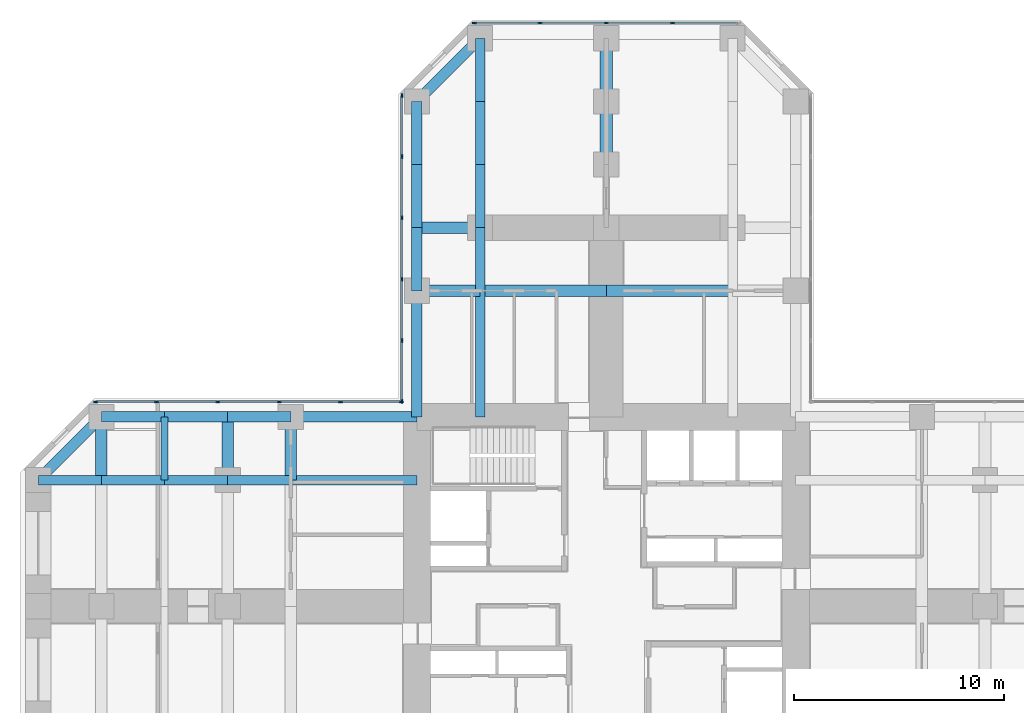
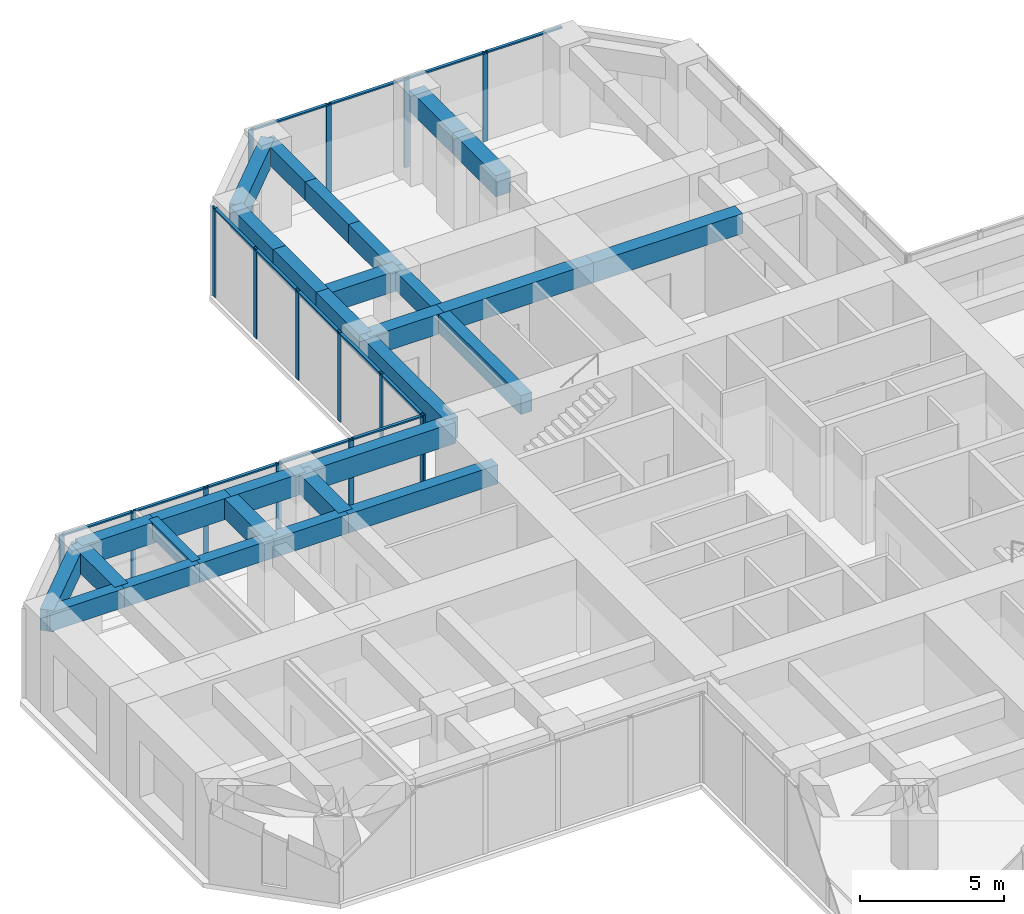
# One storey, part 5 of 13: 30 beams, 30 members, 3 elements without a shape of their own.
"""IFC4 building model written with IfcOpenShell, lengths in metres."""

from ifc_helpers import new_model, si_unit, direction, frame, origin, origin_2d, place, context, subcontext, project, spatial, rectangle, extrude, material, material_profile, profile_set, type_object, element, aggregate, save


model = new_model("IFC4")

# Units and contexts
model_context = context("Model", 3, precision=1e-05, world=origin(), true_north=direction((0.0, 1.0)))
body_context = subcontext(model_context, "Body", "Model", "MODEL_VIEW")
ifc_project = project(units=[si_unit("LENGTHUNIT", "METRE"), si_unit("AREAUNIT", "SQUARE_METRE"), si_unit("VOLUMEUNIT", "CUBIC_METRE"), si_unit("PLANEANGLEUNIT", "RADIAN"), si_unit("MASSUNIT", "GRAM", prefix="KILO")], contexts=[model_context])

# Site, building, storey
site_placement = place(None, origin())
site = spatial("IfcSite", under=ifc_project, at=site_placement, CompositionType="ELEMENT")
building_placement = place(site_placement, origin())
building = spatial("IfcBuilding", under=site, at=building_placement, Name="Torre Cruceta", CompositionType="ELEMENT")
storey_placement = place(building_placement, frame((0.0, 0.0, 27.5)))
storey = spatial("IfcBuildingStorey", under=building, at=storey_placement, Name="L06", CompositionType="ELEMENT", Elevation=27.5)

# Beams
ifc_material_1 = material(Name="Concrete G60 (fck 60 MPa)", Category="concrete")
ifc_material_profile_1 = material_profile(ifc_material_1, rectangle(XDim=0.60009765625, YDim=0.89990234375, at=origin_2d()), Name="RC 600X900")
ifc_profile_set_1 = profile_set([ifc_material_profile_1], Name="Concrete G60 (fck 60 MPa)")
beam_type_1 = type_object("IfcBeamType", Name="ARM CENTRE BEAM RC 600X900", PredefinedType="BEAM", material=ifc_profile_set_1)
for number, where, z_axis, x_axis, name in (
    (1, (0.0, 21.0, 3.35009765625), (0.0, 1.0, 0.0), (-1.0, 0.0, 0.0), "MB3 L06 N centre 1"),
    (2, (0.0, 24.0, 3.35009765625), (0.0, 1.0, 0.0), (-1.0, 0.0, 0.0), "MB3 L06 N centre 2"),
):
    element("IfcBeam", number, at=place(storey_placement, frame(where, z_axis=z_axis, x_axis=x_axis)), inside=storey, type_object=beam_type_1, Name=name, PredefinedType="BEAM", context=body_context, shape_type="SweptSolid", body=[
        extrude(rectangle(XDim=0.60009765625, YDim=0.89990234375, at=origin_2d()), origin(), (0.0, 0.0, 1.0), 3.0),
    ])
ifc_material_2 = material(Name="Concrete G60 (fck 60 MPa)", Category="concrete")
ifc_material_profile_2 = material_profile(ifc_material_2, rectangle(XDim=0.449951171875, YDim=0.800048828125, at=origin_2d()), Name="RC 450X800")
ifc_profile_set_2 = profile_set([ifc_material_profile_2], Name="Concrete G60 (fck 60 MPa)")
beam_type_2 = type_object("IfcBeamType", Name="COLUMN LINE BEAM RC 450X800", PredefinedType="BEAM", material=ifc_profile_set_2)
beam_1_placement = place(storey_placement, frame((-6.0, 9.0, 3.39990234375), z_axis=(0.0, 1.0, 0.0), x_axis=(-1.0, 0.0, 0.0)))
element("IfcBeam", 3, at=beam_1_placement, inside=storey, type_object=beam_type_2, Name="LB1 L06 N col+ 1", PredefinedType="BEAM", context=body_context, shape_type="SweptSolid", body=[
    extrude(rectangle(XDim=0.449951171875, YDim=0.800048828125, at=origin_2d()), origin(), (0.0, 0.0, 1.0), 6.0),
])
for number, where, z_axis, x_axis, name in (
    (4, (-6.0, 15.0, 3.39990234375), (0.0, 1.0, 0.0), (-1.0, 0.0, 0.0), "LB1 L06 N col+ 2"),
    (5, (-6.0, 18.0, 3.39990234375), (0.0, 1.0, 0.0), (-1.0, 0.0, 0.0), "LB1 L06 N col+ 3"),
    (6, (-6.0, 21.0, 3.39990234375), (0.0, 1.0, 0.0), (-1.0, 0.0, 0.0), "LB1 L06 N col+ 4"),
    (7, (-6.0, 24.0, 3.39990234375), (0.0, 1.0, 0.0), (-1.0, 0.0, 0.0), "LB1 L06 N col+ 5"),
):
    element("IfcBeam", number, at=place(storey_placement, frame(where, z_axis=z_axis, x_axis=x_axis)), inside=storey, type_object=beam_type_2, Name=name, PredefinedType="BEAM", context=body_context, shape_type="SweptSolid", body=[
        extrude(rectangle(XDim=0.449951171875, YDim=0.800048828125, at=origin_2d()), origin(), (0.0, 0.0, 1.0), 3.0),
    ])
beam_2_placement = place(storey_placement, frame((-9.0, 6.0, 3.39990234375), z_axis=(-1.0, 0.0, 0.0), x_axis=(0.0, -1.0, 0.0)))
element("IfcBeam", 8, at=beam_2_placement, inside=storey, type_object=beam_type_2, Name="LB1 L06 W col- 1", PredefinedType="BEAM", context=body_context, shape_type="SweptSolid", body=[
    extrude(rectangle(XDim=0.449951171875, YDim=0.800048828125, at=origin_2d()), origin(), (0.0, 0.0, 1.0), 6.0),
])
for number, where, z_axis, x_axis, name in (
    (9, (-15.0, 6.0, 3.39990234375), (-1.0, 0.0, 0.0), (0.0, -1.0, 0.0), "LB1 L06 W col- 2"),
    (10, (-18.0, 6.0, 3.39990234375), (-1.0, 0.0, 0.0), (0.0, -1.0, 0.0), "LB1 L06 W col- 3"),
    (11, (-21.0, 6.0, 3.39990234375), (-1.0, 0.0, 0.0), (0.0, -1.0, 0.0), "LB1 L06 W col- 4"),
    (12, (-24.0, 6.0, 3.39990234375), (-1.0, 0.0, 0.0), (0.0, -1.0, 0.0), "LB1 L06 W col- 5"),
):
    element("IfcBeam", number, at=place(storey_placement, frame(where, z_axis=z_axis, x_axis=x_axis)), inside=storey, type_object=beam_type_2, Name=name, PredefinedType="BEAM", context=body_context, shape_type="SweptSolid", body=[
        extrude(rectangle(XDim=0.449951171875, YDim=0.800048828125, at=origin_2d()), origin(), (0.0, 0.0, 1.0), 3.0),
    ])
ifc_material_3 = material(Name="Concrete G60 (fck 60 MPa)", Category="concrete")
ifc_material_profile_3 = material_profile(ifc_material_3, rectangle(XDim=0.550048828125, YDim=0.85009765625, at=origin_2d()), Name="RC 550X850")
ifc_profile_set_3 = profile_set([ifc_material_profile_3], Name="Concrete G60 (fck 60 MPa)")
beam_type_3 = type_object("IfcBeamType", Name="CROSS BEAM RC 550X850", PredefinedType="BEAM", material=ifc_profile_set_3)
for number, where, z_axis, x_axis, name in (
    (13, (6.0, 15.0, 3.375), (-1.0, 0.0, 0.0), (0.0, -1.0, 0.0), "GB4 L06 N cross15 2"),
    (14, (0.0, 15.0, 3.375), (-1.0, 0.0, 0.0), (0.0, -1.0, 0.0), "GB4 L06 N cross15 3"),
):
    element("IfcBeam", number, at=place(storey_placement, frame(where, z_axis=z_axis, x_axis=x_axis)), inside=storey, type_object=beam_type_3, Name=name, PredefinedType="BEAM", context=body_context, shape_type="SweptSolid", body=[
        extrude(rectangle(XDim=0.550048828125, YDim=0.85009765625, at=origin_2d()), origin(), (0.0, 0.0, 1.0), 6.0),
    ])
for number, where, z_axis, x_axis, name in (
    (15, (-6.0, 15.0, 3.375), (-1.0, 0.0, 0.0), (0.0, -1.0, 0.0), "GB4 L06 N cross15 4"),
    (16, (-6.0, 18.0, 3.375), (-1.0, 0.0, 0.0), (0.0, -1.0, 0.0), "GB4 L06 N cross18b 1"),
    (17, (-15.0, 9.0, 3.375), (0.0, -1.0, 0.0), (1.0, 0.0, 0.0), "GB4 L06 W cross15 1"),
    (18, (-18.0, 9.0, 3.375), (0.0, -1.0, 0.0), (1.0, 0.0, 0.0), "GB4 L06 W cross18 1"),
    (19, (-24.0, 9.0, 3.375), (0.0, -1.0, 0.0), (1.0, 0.0, 0.0), "GB4 L06 W cross24 1"),
):
    element("IfcBeam", number, at=place(storey_placement, frame(where, z_axis=z_axis, x_axis=x_axis)), inside=storey, type_object=beam_type_3, Name=name, PredefinedType="BEAM", context=body_context, shape_type="SweptSolid", body=[
        extrude(rectangle(XDim=0.550048828125, YDim=0.85009765625, at=origin_2d()), origin(), (0.0, 0.0, 1.0), 3.0),
    ])

# Curtain wall, members
ifc_material_4 = material(Name="Aluminium unitised curtain wall", Category="aluminium")
curtain_wall_type = type_object("IfcCurtainWallType", Name="CURTAIN WALL CW-A OFFICE LOW RISE", PredefinedType="USERDEFINED", material=ifc_material_4)
curtain_wall_1_placement = place(storey_placement, origin())
curtain_wall_1 = element("IfcCurtainWall", 20, at=curtain_wall_1_placement, inside=storey, type_object=curtain_wall_type, Name="CW-A L06 N tip 07", ObjectType="UNITISED", PredefinedType="USERDEFINED")
ifc_material_5 = material(Name="Aluminium mullion", Category="aluminium")
ifc_material_profile_4 = material_profile(ifc_material_5, rectangle(XDim=0.06494140625, YDim=0.199951171875, at=origin_2d()), Name="AL 65X200")
ifc_profile_set_4 = profile_set([ifc_material_profile_4], Name="Aluminium mullion")
member_type_1 = type_object("IfcMemberType", Name="CW-A MULLION 65X200", PredefinedType="MULLION", material=ifc_profile_set_4)
member_1_placement = place(storey_placement, frame((3.149169921875, 27.719970703125, 0.0), z_axis=(0.0, 0.0, 1.0), x_axis=(0.0, -1.0, 0.0)))
member_1 = element("IfcMember", 21, at=member_1_placement, type_object=member_type_1, Name="CW-A mullion 2", PredefinedType="MULLION", context=body_context, shape_type="SweptSolid", body=[
    extrude(rectangle(XDim=0.06494140625, YDim=0.199951171875, at=origin_2d()), origin(), (0.0, 0.0, 1.0), 3.800048828125),
])
member_2_placement = place(storey_placement, frame((0.0, 27.719970703125, 0.0), z_axis=(0.0, 0.0, 1.0), x_axis=(0.0, -1.0, 0.0)))
member_2 = element("IfcMember", 22, at=member_2_placement, type_object=member_type_1, Name="CW-A mullion 3", PredefinedType="MULLION", context=body_context, shape_type="SweptSolid", body=[
    extrude(rectangle(XDim=0.06494140625, YDim=0.199951171875, at=origin_2d()), origin(), (0.0, 0.0, 1.0), 3.800048828125),
])
member_3_placement = place(storey_placement, frame((-3.149169921875, 27.719970703125, 0.0), z_axis=(0.0, 0.0, 1.0), x_axis=(0.0, -1.0, 0.0)))
member_3 = element("IfcMember", 23, at=member_3_placement, type_object=member_type_1, Name="CW-A mullion 4", PredefinedType="MULLION", context=body_context, shape_type="SweptSolid", body=[
    extrude(rectangle(XDim=0.06494140625, YDim=0.199951171875, at=origin_2d()), origin(), (0.0, 0.0, 1.0), 3.800048828125),
])
member_4_placement = place(storey_placement, frame((-6.265625, 27.719970703125, 0.0), z_axis=(0.0, 0.0, 1.0), x_axis=(0.0, -1.0, 0.0)))
member_4 = element("IfcMember", 24, at=member_4_placement, type_object=member_type_1, Name="CW-A mullion 5", PredefinedType="MULLION", context=body_context, shape_type="SweptSolid", body=[
    extrude(rectangle(XDim=0.06494140625, YDim=0.199951171875, at=origin_2d()), origin(), (0.0, 0.0, 1.0), 3.800048828125),
])

curtain_wall_2_placement = place(storey_placement, origin())
curtain_wall_2 = element("IfcCurtainWall", 25, at=curtain_wall_2_placement, inside=storey, type_object=curtain_wall_type, Name="CW-A L06 N side 09", ObjectType="UNITISED", PredefinedType="USERDEFINED")
member_5_placement = place(storey_placement, frame((-9.719970703125, 24.265625, 0.0), z_axis=(0.0, 0.0, 1.0), x_axis=(1.0, 0.0, 0.0)))
member_5 = element("IfcMember", 26, at=member_5_placement, type_object=member_type_1, Name="CW-A mullion 1", PredefinedType="MULLION", context=body_context, shape_type="SweptSolid", body=[
    extrude(rectangle(XDim=0.06494140625, YDim=0.199951171875, at=origin_2d()), origin(), (0.0, 0.0, 1.0), 3.800048828125),
])
member_6_placement = place(storey_placement, frame((-9.719970703125, 21.382568359375, 0.0), z_axis=(0.0, 0.0, 1.0), x_axis=(1.0, 0.0, 0.0)))
member_6 = element("IfcMember", 27, at=member_6_placement, type_object=member_type_1, Name="CW-A mullion 2", PredefinedType="MULLION", context=body_context, shape_type="SweptSolid", body=[
    extrude(rectangle(XDim=0.06494140625, YDim=0.199951171875, at=origin_2d()), origin(), (0.0, 0.0, 1.0), 3.800048828125),
])
member_7_placement = place(storey_placement, frame((-9.719970703125, 18.467041015625, 0.0), z_axis=(0.0, 0.0, 1.0), x_axis=(1.0, 0.0, 0.0)))
member_7 = element("IfcMember", 28, at=member_7_placement, type_object=member_type_1, Name="CW-A mullion 3", PredefinedType="MULLION", context=body_context, shape_type="SweptSolid", body=[
    extrude(rectangle(XDim=0.06494140625, YDim=0.199951171875, at=origin_2d()), origin(), (0.0, 0.0, 1.0), 3.800048828125),
])
member_8_placement = place(storey_placement, frame((-9.719970703125, 15.55126953125, 0.0), z_axis=(0.0, 0.0, 1.0), x_axis=(1.0, 0.0, 0.0)))
member_8 = element("IfcMember", 29, at=member_8_placement, type_object=member_type_1, Name="CW-A mullion 4", PredefinedType="MULLION", context=body_context, shape_type="SweptSolid", body=[
    extrude(rectangle(XDim=0.06494140625, YDim=0.199951171875, at=origin_2d()), origin(), (0.0, 0.0, 1.0), 3.800048828125),
])
member_9_placement = place(storey_placement, frame((-9.719970703125, 12.6357421875, 0.0), z_axis=(0.0, 0.0, 1.0), x_axis=(1.0, 0.0, 0.0)))
member_9 = element("IfcMember", 30, at=member_9_placement, type_object=member_type_1, Name="CW-A mullion 5", PredefinedType="MULLION", context=body_context, shape_type="SweptSolid", body=[
    extrude(rectangle(XDim=0.06494140625, YDim=0.199951171875, at=origin_2d()), origin(), (0.0, 0.0, 1.0), 3.800048828125),
])
member_10_placement = place(storey_placement, frame((-9.719970703125, 9.75244140625, 0.0), z_axis=(0.0, 0.0, 1.0), x_axis=(1.0, 0.0, 0.0)))
member_10 = element("IfcMember", 31, at=member_10_placement, type_object=member_type_1, Name="CW-A mullion 6", PredefinedType="MULLION", context=body_context, shape_type="SweptSolid", body=[
    extrude(rectangle(XDim=0.06494140625, YDim=0.199951171875, at=origin_2d()), origin(), (0.0, 0.0, 1.0), 3.800048828125),
])

curtain_wall_3_placement = place(storey_placement, origin())
curtain_wall_3 = element("IfcCurtainWall", 32, at=curtain_wall_3_placement, inside=storey, type_object=curtain_wall_type, Name="CW-A L06 W side 10", ObjectType="UNITISED", PredefinedType="USERDEFINED")
member_11_placement = place(storey_placement, frame((-9.75244140625, 9.719970703125, 0.0), z_axis=(0.0, 0.0, 1.0), x_axis=(0.0, -1.0, 0.0)))
member_11 = element("IfcMember", 33, at=member_11_placement, type_object=member_type_1, Name="CW-A mullion 1", PredefinedType="MULLION", context=body_context, shape_type="SweptSolid", body=[
    extrude(rectangle(XDim=0.06494140625, YDim=0.199951171875, at=origin_2d()), origin(), (0.0, 0.0, 1.0), 3.800048828125),
])
member_12_placement = place(storey_placement, frame((-12.6357421875, 9.719970703125, 0.0), z_axis=(0.0, 0.0, 1.0), x_axis=(0.0, -1.0, 0.0)))
member_12 = element("IfcMember", 34, at=member_12_placement, type_object=member_type_1, Name="CW-A mullion 2", PredefinedType="MULLION", context=body_context, shape_type="SweptSolid", body=[
    extrude(rectangle(XDim=0.06494140625, YDim=0.199951171875, at=origin_2d()), origin(), (0.0, 0.0, 1.0), 3.800048828125),
])
member_13_placement = place(storey_placement, frame((-15.55126953125, 9.719970703125, 0.0), z_axis=(0.0, 0.0, 1.0), x_axis=(0.0, -1.0, 0.0)))
member_13 = element("IfcMember", 35, at=member_13_placement, type_object=member_type_1, Name="CW-A mullion 3", PredefinedType="MULLION", context=body_context, shape_type="SweptSolid", body=[
    extrude(rectangle(XDim=0.06494140625, YDim=0.199951171875, at=origin_2d()), origin(), (0.0, 0.0, 1.0), 3.800048828125),
])
member_14_placement = place(storey_placement, frame((-18.467041015625, 9.719970703125, 0.0), z_axis=(0.0, 0.0, 1.0), x_axis=(0.0, -1.0, 0.0)))
member_14 = element("IfcMember", 36, at=member_14_placement, type_object=member_type_1, Name="CW-A mullion 4", PredefinedType="MULLION", context=body_context, shape_type="SweptSolid", body=[
    extrude(rectangle(XDim=0.06494140625, YDim=0.199951171875, at=origin_2d()), origin(), (0.0, 0.0, 1.0), 3.800048828125),
])
member_15_placement = place(storey_placement, frame((-21.382568359375, 9.719970703125, 0.0), z_axis=(0.0, 0.0, 1.0), x_axis=(0.0, -1.0, 0.0)))
member_15 = element("IfcMember", 37, at=member_15_placement, type_object=member_type_1, Name="CW-A mullion 5", PredefinedType="MULLION", context=body_context, shape_type="SweptSolid", body=[
    extrude(rectangle(XDim=0.06494140625, YDim=0.199951171875, at=origin_2d()), origin(), (0.0, 0.0, 1.0), 3.800048828125),
])
member_16_placement = place(storey_placement, frame((-24.265625, 9.719970703125, 0.0), z_axis=(0.0, 0.0, 1.0), x_axis=(0.0, -1.0, 0.0)))
member_16 = element("IfcMember", 38, at=member_16_placement, type_object=member_type_1, Name="CW-A mullion 6", PredefinedType="MULLION", context=body_context, shape_type="SweptSolid", body=[
    extrude(rectangle(XDim=0.06494140625, YDim=0.199951171875, at=origin_2d()), origin(), (0.0, 0.0, 1.0), 3.800048828125),
])

# Member
ifc_material_6 = material(Name="Aluminium transom", Category="aluminium")
ifc_material_profile_5 = material_profile(ifc_material_6, rectangle(XDim=0.1201171875, YDim=0.06494140625, at=origin_2d()), Name="AL 120X65")
ifc_profile_set_5 = profile_set([ifc_material_profile_5], Name="Aluminium transom")
member_type_2 = type_object("IfcMemberType", Name="CW-A TRANSOM 65X120", PredefinedType="USERDEFINED", material=ifc_profile_set_5)
member_17_placement = place(storey_placement, frame((6.233154296875, 27.719970703125, 3.767578125), z_axis=(-1.0, 0.0, 0.0), x_axis=(0.0, -1.0, 0.0)))
member_17 = element("IfcMember", 39, at=member_17_placement, type_object=member_type_2, Name="CW-A transom 1", ObjectType="TRANSOM", PredefinedType="USERDEFINED", context=body_context, shape_type="SweptSolid", body=[
    extrude(rectangle(XDim=0.1201171875, YDim=0.06494140625, at=origin_2d()), origin(), (0.0, 0.0, 1.0), 3.051513671875),
])

member_18_placement = place(storey_placement, frame((3.11669921875, 27.719970703125, 3.767578125), z_axis=(-1.0, 0.0, 0.0), x_axis=(0.0, -1.0, 0.0)))
member_18 = element("IfcMember", 40, at=member_18_placement, type_object=member_type_2, Name="CW-A transom 2", ObjectType="TRANSOM", PredefinedType="USERDEFINED", context=body_context, shape_type="SweptSolid", body=[
    extrude(rectangle(XDim=0.1201171875, YDim=0.06494140625, at=origin_2d()), origin(), (0.0, 0.0, 1.0), 3.084228515625),
])

member_19_placement = place(storey_placement, frame((-0.032470703125, 27.719970703125, 3.767578125), z_axis=(-1.0, 0.0, 0.0), x_axis=(0.0, -1.0, 0.0)))
member_19 = element("IfcMember", 41, at=member_19_placement, type_object=member_type_2, Name="CW-A transom 3", ObjectType="TRANSOM", PredefinedType="USERDEFINED", context=body_context, shape_type="SweptSolid", body=[
    extrude(rectangle(XDim=0.1201171875, YDim=0.06494140625, at=origin_2d()), origin(), (0.0, 0.0, 1.0), 3.084228515625),
])

member_20_placement = place(storey_placement, frame((-3.181640625, 27.719970703125, 3.767578125), z_axis=(-1.0, 0.0, 0.0), x_axis=(0.0, -1.0, 0.0)))
member_20 = element("IfcMember", 42, at=member_20_placement, type_object=member_type_2, Name="CW-A transom 4", ObjectType="TRANSOM", PredefinedType="USERDEFINED", context=body_context, shape_type="SweptSolid", body=[
    extrude(rectangle(XDim=0.1201171875, YDim=0.06494140625, at=origin_2d()), origin(), (0.0, 0.0, 1.0), 3.051513671875),
])

aggregate(curtain_wall_1, [member_1, member_2, member_3, member_4, member_17, member_18, member_19, member_20])

member_21_placement = place(storey_placement, frame((-9.719970703125, 24.233154296875, 3.767578125), z_axis=(0.0, -1.0, 0.0), x_axis=(1.0, 0.0, 0.0)))
member_21 = element("IfcMember", 43, at=member_21_placement, type_object=member_type_2, Name="CW-A transom 1", ObjectType="TRANSOM", PredefinedType="USERDEFINED", context=body_context, shape_type="SweptSolid", body=[
    extrude(rectangle(XDim=0.1201171875, YDim=0.06494140625, at=origin_2d()), origin(), (0.0, 0.0, 1.0), 2.818115234375),
])

member_22_placement = place(storey_placement, frame((-9.719970703125, 21.35009765625, 3.767578125), z_axis=(0.0, -1.0, 0.0), x_axis=(1.0, 0.0, 0.0)))
member_22 = element("IfcMember", 44, at=member_22_placement, type_object=member_type_2, Name="CW-A transom 2", ObjectType="TRANSOM", PredefinedType="USERDEFINED", context=body_context, shape_type="SweptSolid", body=[
    extrude(rectangle(XDim=0.1201171875, YDim=0.06494140625, at=origin_2d()), origin(), (0.0, 0.0, 1.0), 2.8505859375),
])

member_23_placement = place(storey_placement, frame((-9.719970703125, 18.434326171875, 3.767578125), z_axis=(0.0, -1.0, 0.0), x_axis=(1.0, 0.0, 0.0)))
member_23 = element("IfcMember", 45, at=member_23_placement, type_object=member_type_2, Name="CW-A transom 3", ObjectType="TRANSOM", PredefinedType="USERDEFINED", context=body_context, shape_type="SweptSolid", body=[
    extrude(rectangle(XDim=0.1201171875, YDim=0.06494140625, at=origin_2d()), origin(), (0.0, 0.0, 1.0), 2.8505859375),
])

member_24_placement = place(storey_placement, frame((-9.719970703125, 15.518798828125, 3.767578125), z_axis=(0.0, -1.0, 0.0), x_axis=(1.0, 0.0, 0.0)))
member_24 = element("IfcMember", 46, at=member_24_placement, type_object=member_type_2, Name="CW-A transom 4", ObjectType="TRANSOM", PredefinedType="USERDEFINED", context=body_context, shape_type="SweptSolid", body=[
    extrude(rectangle(XDim=0.1201171875, YDim=0.06494140625, at=origin_2d()), origin(), (0.0, 0.0, 1.0), 2.8505859375),
])

member_25_placement = place(storey_placement, frame((-9.719970703125, 12.60302734375, 3.767578125), z_axis=(0.0, -1.0, 0.0), x_axis=(1.0, 0.0, 0.0)))
member_25 = element("IfcMember", 47, at=member_25_placement, type_object=member_type_2, Name="CW-A transom 5", ObjectType="TRANSOM", PredefinedType="USERDEFINED", context=body_context, shape_type="SweptSolid", body=[
    extrude(rectangle(XDim=0.1201171875, YDim=0.06494140625, at=origin_2d()), origin(), (0.0, 0.0, 1.0), 2.818115234375),
])

aggregate(curtain_wall_2, [member_5, member_6, member_7, member_8, member_9, member_10, member_21, member_22, member_23, member_24, member_25])

member_26_placement = place(storey_placement, frame((-9.784912109375, 9.719970703125, 3.767578125), z_axis=(-1.0, 0.0, 0.0), x_axis=(0.0, -1.0, 0.0)))
member_26 = element("IfcMember", 48, at=member_26_placement, type_object=member_type_2, Name="CW-A transom 1", ObjectType="TRANSOM", PredefinedType="USERDEFINED", context=body_context, shape_type="SweptSolid", body=[
    extrude(rectangle(XDim=0.1201171875, YDim=0.06494140625, at=origin_2d()), origin(), (0.0, 0.0, 1.0), 2.818115234375),
])

member_27_placement = place(storey_placement, frame((-12.668212890625, 9.719970703125, 3.767578125), z_axis=(-1.0, 0.0, 0.0), x_axis=(0.0, -1.0, 0.0)))
member_27 = element("IfcMember", 49, at=member_27_placement, type_object=member_type_2, Name="CW-A transom 2", ObjectType="TRANSOM", PredefinedType="USERDEFINED", context=body_context, shape_type="SweptSolid", body=[
    extrude(rectangle(XDim=0.1201171875, YDim=0.06494140625, at=origin_2d()), origin(), (0.0, 0.0, 1.0), 2.8505859375),
])

member_28_placement = place(storey_placement, frame((-15.583740234375, 9.719970703125, 3.767578125), z_axis=(-1.0, 0.0, 0.0), x_axis=(0.0, -1.0, 0.0)))
member_28 = element("IfcMember", 50, at=member_28_placement, type_object=member_type_2, Name="CW-A transom 3", ObjectType="TRANSOM", PredefinedType="USERDEFINED", context=body_context, shape_type="SweptSolid", body=[
    extrude(rectangle(XDim=0.1201171875, YDim=0.06494140625, at=origin_2d()), origin(), (0.0, 0.0, 1.0), 2.8505859375),
])

member_29_placement = place(storey_placement, frame((-18.49951171875, 9.719970703125, 3.767578125), z_axis=(-1.0, 0.0, 0.0), x_axis=(0.0, -1.0, 0.0)))
member_29 = element("IfcMember", 51, at=member_29_placement, type_object=member_type_2, Name="CW-A transom 4", ObjectType="TRANSOM", PredefinedType="USERDEFINED", context=body_context, shape_type="SweptSolid", body=[
    extrude(rectangle(XDim=0.1201171875, YDim=0.06494140625, at=origin_2d()), origin(), (0.0, 0.0, 1.0), 2.8505859375),
])

member_30_placement = place(storey_placement, frame((-21.4150390625, 9.719970703125, 3.767578125), z_axis=(-1.0, 0.0, 0.0), x_axis=(0.0, -1.0, 0.0)))
member_30 = element("IfcMember", 52, at=member_30_placement, type_object=member_type_2, Name="CW-A transom 5", ObjectType="TRANSOM", PredefinedType="USERDEFINED", context=body_context, shape_type="SweptSolid", body=[
    extrude(rectangle(XDim=0.1201171875, YDim=0.06494140625, at=origin_2d()), origin(), (0.0, 0.0, 1.0), 2.818115234375),
])

aggregate(curtain_wall_3, [member_11, member_12, member_13, member_14, member_15, member_16, member_26, member_27, member_28, member_29, member_30])

# Beams
ifc_material_7 = material(Name="Concrete G60 (fck 60 MPa)", Category="concrete")
ifc_material_profile_6 = material_profile(ifc_material_7, rectangle(XDim=0.35009765625, YDim=0.64990234375, at=origin_2d()), Name="RC 350X650")
ifc_profile_set_6 = profile_set([ifc_material_profile_6], Name="Concrete G60 (fck 60 MPa)")
beam_type_4 = type_object("IfcBeamType", Name="SECONDARY BEAM RC 350X650", PredefinedType="JOIST", material=ifc_profile_set_6)
beam_3_placement = place(storey_placement, frame((-21.0, 9.0, 3.47509765625), z_axis=(0.0, -1.0, 0.0), x_axis=(1.0, 0.0, 0.0)))
element("IfcBeam", 53, at=beam_3_placement, inside=storey, type_object=beam_type_4, Name="JB3 L06 W sec21 1", PredefinedType="JOIST", context=body_context, shape_type="SweptSolid", body=[
    extrude(rectangle(XDim=0.35009765625, YDim=0.64990234375, at=origin_2d()), origin(), (0.0, 0.0, 1.0), 3.0),
])
ifc_material_8 = material(Name="Concrete G60 (fck 60 MPa)", Category="concrete")
ifc_material_profile_7 = material_profile(ifc_material_8, rectangle(XDim=0.5, YDim=0.89990234375, at=origin_2d()), Name="RC 500X900")
ifc_profile_set_7 = profile_set([ifc_material_profile_7], Name="Concrete G60 (fck 60 MPa)")
beam_type_5 = type_object("IfcBeamType", Name="SPANDREL BEAM RC 500X900", PredefinedType="SPANDREL", material=ifc_profile_set_7)
beam_4_placement = place(storey_placement, frame((-9.0, 9.0, 3.35009765625), z_axis=(0.0, 1.0, 0.0), x_axis=(-1.0, 0.0, 0.0)))
element("IfcBeam", 54, at=beam_4_placement, inside=storey, type_object=beam_type_5, Name="SB4 L06 N side+ 1", PredefinedType="SPANDREL", context=body_context, shape_type="SweptSolid", body=[
    extrude(rectangle(XDim=0.5, YDim=0.89990234375, at=origin_2d()), origin(), (0.0, 0.0, 1.0), 6.0),
])
for number, where, z_axis, x_axis, name in (
    (55, (-9.0, 15.0, 3.35009765625), (0.0, 1.0, 0.0), (-1.0, 0.0, 0.0), "SB4 L06 N side+ 2"),
    (56, (-9.0, 18.0, 3.35009765625), (0.0, 1.0, 0.0), (-1.0, 0.0, 0.0), "SB4 L06 N side+ 3"),
    (57, (-9.0, 21.0, 3.35009765625), (0.0, 1.0, 0.0), (-1.0, 0.0, 0.0), "SB4 L06 N side+ 4"),
):
    element("IfcBeam", number, at=place(storey_placement, frame(where, z_axis=z_axis, x_axis=x_axis)), inside=storey, type_object=beam_type_5, Name=name, PredefinedType="SPANDREL", context=body_context, shape_type="SweptSolid", body=[
        extrude(rectangle(XDim=0.5, YDim=0.89990234375, at=origin_2d()), origin(), (0.0, 0.0, 1.0), 3.0),
    ])
beam_5_placement = place(storey_placement, frame((-9.0, 24.0, 3.35009765625), z_axis=(0.707106781187, 0.707106781187, 0.0), x_axis=(-0.707106781187, 0.707106781187, 0.0)))
element("IfcBeam", 58, at=beam_5_placement, inside=storey, type_object=beam_type_5, Name="SB4 L06 N side+ 5", PredefinedType="SPANDREL", context=body_context, shape_type="SweptSolid", body=[
    extrude(rectangle(XDim=0.5, YDim=0.89990234375, at=origin_2d()), origin(), (0.0, 0.0, 1.0), 4.24267578125),
])
beam_6_placement = place(storey_placement, frame((-9.0, 9.0, 3.35009765625), z_axis=(-1.0, 0.0, 0.0), x_axis=(0.0, -1.0, 0.0)))
element("IfcBeam", 59, at=beam_6_placement, inside=storey, type_object=beam_type_5, Name="SB4 L06 W side- 1", PredefinedType="SPANDREL", context=body_context, shape_type="SweptSolid", body=[
    extrude(rectangle(XDim=0.5, YDim=0.89990234375, at=origin_2d()), origin(), (0.0, 0.0, 1.0), 6.0),
])
for number, where, z_axis, x_axis, name in (
    (60, (-15.0, 9.0, 3.35009765625), (-1.0, 0.0, 0.0), (0.0, -1.0, 0.0), "SB4 L06 W side- 2"),
    (61, (-18.0, 9.0, 3.35009765625), (-1.0, 0.0, 0.0), (0.0, -1.0, 0.0), "SB4 L06 W side- 3"),
    (62, (-21.0, 9.0, 3.35009765625), (-1.0, 0.0, 0.0), (0.0, -1.0, 0.0), "SB4 L06 W side- 4"),
):
    element("IfcBeam", number, at=place(storey_placement, frame(where, z_axis=z_axis, x_axis=x_axis)), inside=storey, type_object=beam_type_5, Name=name, PredefinedType="SPANDREL", context=body_context, shape_type="SweptSolid", body=[
        extrude(rectangle(XDim=0.5, YDim=0.89990234375, at=origin_2d()), origin(), (0.0, 0.0, 1.0), 3.0),
    ])
beam_7_placement = place(storey_placement, frame((-24.0, 9.0, 3.35009765625), z_axis=(-0.707106781187, -0.707106781187, 0.0), x_axis=(0.707106781187, -0.707106781187, 0.0)))
element("IfcBeam", 63, at=beam_7_placement, inside=storey, type_object=beam_type_5, Name="SB4 L06 W side- 5", PredefinedType="SPANDREL", context=body_context, shape_type="SweptSolid", body=[
    extrude(rectangle(XDim=0.5, YDim=0.89990234375, at=origin_2d()), origin(), (0.0, 0.0, 1.0), 4.24267578125),
])

save(model, "model.ifc")
